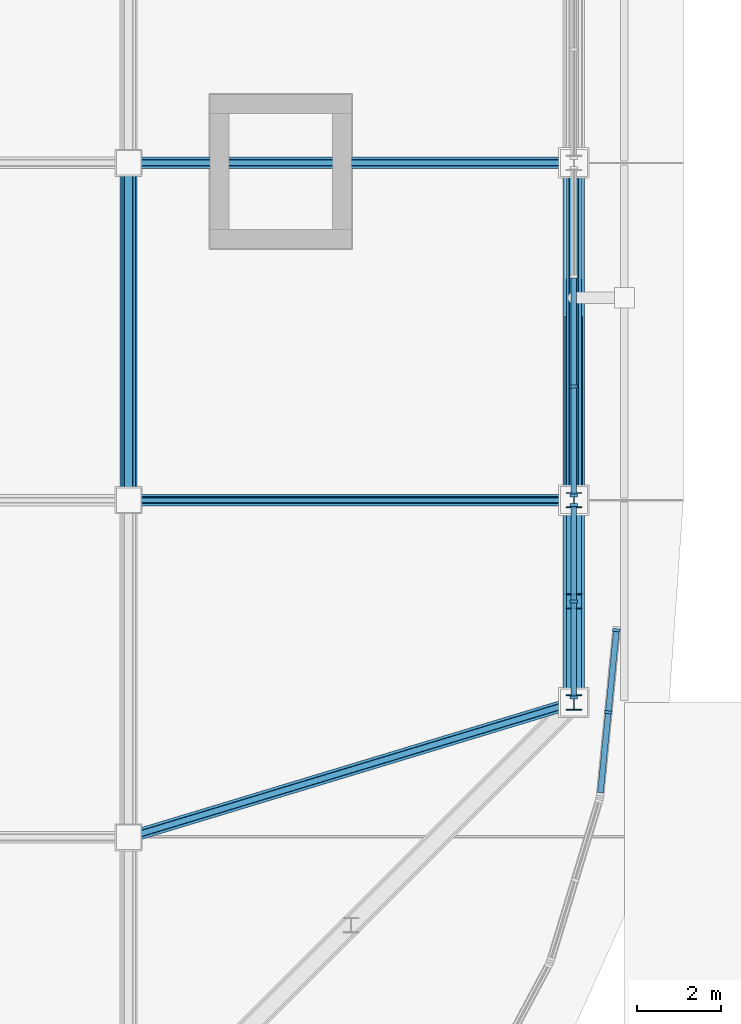
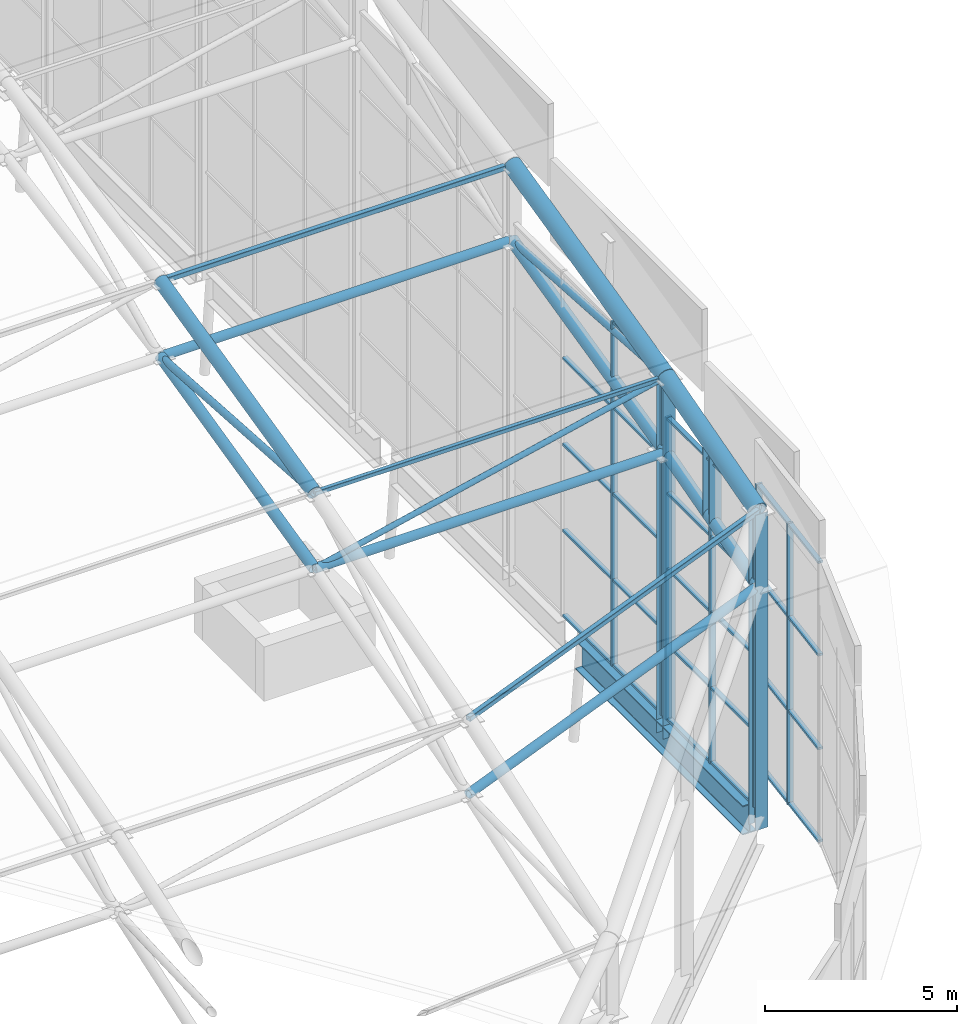
# One storey, part 13 of 42: 52 members, 1 beam, 3 elements without a shape of their own.
"""IFC4 building model written with IfcOpenShell, lengths in metres."""

import ifcopenshell
import ifcopenshell.guid

model = None  # the IFC model being written
_history = None  # IfcOwnerHistory: only IFC2X3 demands one
_inside = {}  # id of a spatial element -> (the spatial element, [elements in it])
_under = {}  # id of a project, library or spatial element -> (it, [spatial elements below it])
_declared = {}  # id of a project -> (the project, [libraries it declares])
_typed = {}  # id of a type object -> (the type object, [elements of that type])
_made_of = {}  # id of a material, layer set ... -> (it, [elements and type objects made of it])


def new_model(schema):
    """Start an empty IFC model of exactly this schema.

    Asked for "IFC4X3", IfcOpenShell would pick the latest addendum, in which some entities
    have other attributes; the version numbers below select the first issue.
    IFC2X3 requires an IfcOwnerHistory on every rooted entity: one is made here for all.
    """
    global model, _history
    if schema == "IFC4X3":
        model = ifcopenshell.file(schema_version=(4, 3, 0, 0))
    else:
        model = ifcopenshell.file(schema=schema)
    _inside.clear()
    _under.clear()
    _declared.clear()
    _typed.clear()
    _made_of.clear()
    _history = None
    if model.schema == "IFC2X3":
        org = make("IfcOrganization", Name="unknown")
        user = make(
            "IfcPersonAndOrganization",
            ThePerson=make("IfcPerson", FamilyName="unknown"),
            TheOrganization=org,
        )
        app = make(
            "IfcApplication",
            ApplicationDeveloper=org,
            Version="unknown",
            ApplicationFullName="unknown",
            ApplicationIdentifier="unknown",
        )
        _history = make(
            "IfcOwnerHistory",
            OwningUser=user,
            OwningApplication=app,
            ChangeAction="ADDED",
            CreationDate=0,
        )
    return model


def make(cls, **values):
    """One entity of the class cls with the attributes given. An attribute that is None is left unset."""
    return model.create_entity(
        cls, **{name: value for name, value in values.items() if value is not None}
    )


def rooted(cls, **values):
    """An entity with a GlobalId (a new one), such as an element, a storey or a relation."""
    return make(cls, GlobalId=ifcopenshell.guid.new(), OwnerHistory=_history, **values)


def si_unit(unit_type, name, prefix=None):
    """IfcSIUnit, for example si_unit("LENGTHUNIT", "METRE", prefix="MILLI")."""
    return make("IfcSIUnit", UnitType=unit_type, Prefix=prefix, Name=name)


def assignment(units):
    """IfcUnitAssignment: the units of a project."""
    return None if units is None else make("IfcUnitAssignment", Units=units)


def point(xyz):
    """IfcCartesianPoint."""
    return None if xyz is None else make("IfcCartesianPoint", Coordinates=xyz)


def direction(xyz):
    """IfcDirection."""
    return None if xyz is None else make("IfcDirection", DirectionRatios=xyz)


def frame(location, z_axis=None, x_axis=None):
    """IfcAxis2Placement3D, a coordinate frame: its origin and axes. An axis left out is left unset."""
    return make(
        "IfcAxis2Placement3D",
        Location=point(location),
        Axis=direction(z_axis),
        RefDirection=direction(x_axis),
    )


def frame_2d(location, x_axis=None):
    """IfcAxis2Placement2D, a coordinate frame in the plane: its origin and x axis."""
    return make(
        "IfcAxis2Placement2D", Location=point(location), RefDirection=direction(x_axis)
    )


def origin():
    """The frame at (0, 0, 0) with its axes left unset."""
    return frame((0.0, 0.0, 0.0))


def origin_2d():
    """The frame at (0, 0) in the plane with its x axis left unset."""
    return frame_2d((0.0, 0.0))


def place(relative_to, where):
    """IfcLocalPlacement: puts the frame where relative to a parent placement (None: the world)."""
    return make(
        "IfcLocalPlacement", PlacementRelTo=relative_to, RelativePlacement=where
    )


def context(
    kind, dimensions, precision=None, world=None, true_north=None, identifier=None
):
    """IfcGeometricRepresentationContext, for example the 3D "Model" context."""
    return make(
        "IfcGeometricRepresentationContext",
        ContextIdentifier=identifier,
        ContextType=kind,
        CoordinateSpaceDimension=dimensions,
        Precision=precision,
        WorldCoordinateSystem=world,
        TrueNorth=true_north,
    )


def subcontext(parent, identifier, kind, view, scale=None):
    """IfcGeometricRepresentationSubContext, for example "Body" below "Model"."""
    return make(
        "IfcGeometricRepresentationSubContext",
        ContextIdentifier=identifier,
        ContextType=kind,
        ParentContext=parent,
        TargetScale=scale,
        TargetView=view,
    )


def project(units=None, contexts=None):
    """IfcProject with its units and contexts."""
    return rooted(
        "IfcProject",
        Name="project",
        RepresentationContexts=contexts,
        UnitsInContext=assignment(units),
    )


def spatial(cls, under=None, at=None, **own):
    """A site, building, storey or space (cls), placed at a placement, below another one or the project."""
    s = rooted(cls, ObjectPlacement=at, **own)
    if under is not None:
        _under.setdefault(under.id(), (under, []))[1].append(s)
    return s


def profile(cls, at=None, kind="AREA", **sizes):
    """A parametric profile (cls). Its sizes go by their IFC names, for example OverallWidth=200.0."""
    return make(cls, ProfileType=kind, Position=at, **sizes)


def rectangle(**sizes):
    """IfcRectangleProfileDef."""
    return profile("IfcRectangleProfileDef", **sizes)


def hollow_rectangle(**sizes):
    """IfcRectangleHollowProfileDef."""
    return profile("IfcRectangleHollowProfileDef", **sizes)


def hollow_circle(**sizes):
    """IfcCircleHollowProfileDef."""
    return profile("IfcCircleHollowProfileDef", **sizes)


def i_section(**sizes):
    """IfcIShapeProfileDef."""
    return profile("IfcIShapeProfileDef", **sizes)


def extrude(swept, where, along, depth):
    """IfcExtrudedAreaSolid: the profile swept, set in the frame where, extruded along a direction by depth."""
    return make(
        "IfcExtrudedAreaSolid",
        SweptArea=swept,
        Position=where,
        ExtrudedDirection=direction(along),
        Depth=depth,
    )


def shape(context_of_items, identifier, shape_type, items):
    """IfcShapeRepresentation: the items that make up one representation, for example the "Body"."""
    return make(
        "IfcShapeRepresentation",
        ContextOfItems=context_of_items,
        RepresentationIdentifier=identifier,
        RepresentationType=shape_type,
        Items=items,
    )


def material(Name=None, Category=None):
    """IfcMaterial."""
    return make("IfcMaterial", Name=Name, Category=Category)


def layer(
    of_material, thickness, ventilated=None, Name=None, Category=None, Priority=None
):
    """IfcMaterialLayer: one layer of a wall or slab, of a material (None: an air gap)."""
    return make(
        "IfcMaterialLayer",
        Material=of_material,
        LayerThickness=thickness,
        IsVentilated=ventilated,
        Name=Name,
        Category=Category,
        Priority=Priority,
    )


def layer_set(layers, Name=None):
    """IfcMaterialLayerSet."""
    return make("IfcMaterialLayerSet", MaterialLayers=layers, LayerSetName=Name)


def material_profile(
    of_material, cross_section, Name=None, Category=None, Priority=None
):
    """IfcMaterialProfile: a cross section and its material."""
    return make(
        "IfcMaterialProfile",
        Name=Name,
        Material=of_material,
        Profile=cross_section,
        Priority=Priority,
        Category=Category,
    )


def profile_set(profiles, Name=None, composite=None):
    """IfcMaterialProfileSet."""
    return make(
        "IfcMaterialProfileSet",
        Name=Name,
        MaterialProfiles=profiles,
        CompositeProfile=composite,
    )


def made_of(thing, what):
    """Note that an element or type object is made of a material, layer set ...; save() writes the relation."""
    if what is not None:
        _made_of.setdefault(what.id(), (what, []))[1].append(thing)
    return thing


def type_object(cls, material=None, **own):
    """A type object (cls), such as IfcWallType, which elements share."""
    return made_of(rooted(cls, **own), material)


def element(
    cls,
    number,
    at=None,
    inside=None,
    cuts=None,
    type_object=None,
    material=None,
    context=None,
    identifier="Body",
    shape_type=None,
    held_by="IfcProductDefinitionShape",
    body=None,
    shapes=None,
    **own,
):
    """One element of the class cls, such as IfcWall. Its Tag is "e" and its number.

    at: its placement. inside: the storey or other place that contains it. cuts: it is an
    opening in that element (IfcRelVoidsElement). A single representation is given by context,
    identifier, shape_type and body (its items); several are given by shapes. held_by: the class
    of the entity that holds the representations. save() writes the other relations.
    """
    e = rooted(cls, Tag="e%d" % number, ObjectPlacement=at, **own)
    if body is not None:
        shapes = [shape(context, identifier, shape_type, body)]
    if shapes is not None:
        e.Representation = make(held_by, Representations=shapes)
    if inside is not None:
        _inside.setdefault(inside.id(), (inside, []))[1].append(e)
    if cuts is not None:
        rooted(
            "IfcRelVoidsElement", RelatingBuildingElement=cuts, RelatedOpeningElement=e
        )
    if type_object is not None:
        _typed.setdefault(type_object.id(), (type_object, []))[1].append(e)
    return made_of(e, material)


def aggregate(whole, parts):
    """IfcRelAggregates: a whole, such as a stair, and the parts it consists of."""
    return rooted("IfcRelAggregates", RelatingObject=whole, RelatedObjects=parts)


def save(model, path):
    """Write the relations noted so far, then the file.

    IfcRelAggregates (storeys below a building ...), IfcRelContainedInSpatialStructure (elements
    in a storey), IfcRelDefinesByType, IfcRelAssociatesMaterial and IfcRelDeclares: one each for
    every whole, place, type object, material and project.
    """
    for whole, parts in _under.values():
        aggregate(whole, parts)
    for where, things in _inside.values():
        rooted(
            "IfcRelContainedInSpatialStructure",
            RelatedElements=things,
            RelatingStructure=where,
        )
    for kind, things in _typed.values():
        rooted("IfcRelDefinesByType", RelatedObjects=things, RelatingType=kind)
    for what, things in _made_of.values():
        rooted("IfcRelAssociatesMaterial", RelatedObjects=things, RelatingMaterial=what)
    for by, libraries in _declared.values():
        rooted("IfcRelDeclares", RelatingContext=by, RelatedDefinitions=libraries)
    model.write(path)


model = new_model("IFC4")

# Units and contexts
model_context = context("Model", 3, precision=1e-05, world=origin(), true_north=direction((0.0, 1.0)))
body_context = subcontext(model_context, "Body", "Model", "MODEL_VIEW")
ifc_project = project(units=[si_unit("LENGTHUNIT", "METRE"), si_unit("AREAUNIT", "SQUARE_METRE"), si_unit("VOLUMEUNIT", "CUBIC_METRE"), si_unit("PLANEANGLEUNIT", "RADIAN"), si_unit("MASSUNIT", "GRAM", prefix="KILO")], contexts=[model_context])

# Site, building, storey
site_placement = place(None, origin())
site = spatial("IfcSite", under=ifc_project, at=site_placement, CompositionType="ELEMENT")
building_placement = place(site_placement, origin())
building = spatial("IfcBuilding", under=site, at=building_placement, Name="Caelomonte Colonnade Arena", CompositionType="ELEMENT")
storey_placement = place(building_placement, frame((0.0, 0.0, 28.199951171875)))
storey = spatial("IfcBuildingStorey", under=building, at=storey_placement, Name="RF", CompositionType="ELEMENT", Elevation=28.199951171875)

# Curtain wall, members
ifc_material_1 = material(Name="Bronze anodised aluminium and low-E glazing", Category="aluminium")
ifc_layer_1 = layer(ifc_material_1, 0.179931640625)
ifc_layer_set_1 = layer_set([ifc_layer_1], Name="Bronze anodised aluminium and low-E glazing")
curtain_wall_type_1 = type_object("IfcCurtainWallType", Name="ENV-CW-CW-TYMP-01", PredefinedType="USERDEFINED", material=ifc_layer_set_1)
curtain_wall_1_placement = place(storey_placement, origin())
curtain_wall_1 = element("IfcCurtainWall", 1, at=curtain_wall_1_placement, inside=storey, type_object=curtain_wall_type_1, Name="Barrel arch E clerestory tympanum curtain wall 1", ObjectType="UNITIZED CURTAIN WALL", PredefinedType="USERDEFINED")
ifc_material_2 = material(Name="Bronze anodised aluminium AA6063-T6", Category="aluminium")
ifc_material_profile_1 = material_profile(ifc_material_2, rectangle(XDim=0.070068359375, YDim=0.179931640625, at=origin_2d()), Name="CWM-70X180")
ifc_profile_set_1 = profile_set([ifc_material_profile_1], Name="Bronze anodised aluminium AA6063-T6")
member_type_1 = type_object("IfcMemberType", Name="ENV-CW-MULL1", PredefinedType="MULLION", material=ifc_profile_set_1)
member_1_placement = place(storey_placement, frame((163.199951171875, 38.514892578125, -0.14990234375), z_axis=(0.0, 0.0, 1.0), x_axis=(0.0, 1.0, 0.0)))
member_1 = element("IfcMember", 2, at=member_1_placement, type_object=member_type_1, Name="CW-TYMP-01 mullion 1", PredefinedType="MULLION", context=body_context, shape_type="SweptSolid", body=[
    extrude(rectangle(XDim=0.070068359375, YDim=0.179931640625, at=origin_2d()), origin(), (0.0, 0.0, 1.0), 9.61474609375),
])
member_2_placement = place(storey_placement, frame((163.199951171875, 40.800048828125, -0.14990234375), z_axis=(0.0, 0.0, 1.0), x_axis=(0.0, 1.0, 0.0)))
member_2 = element("IfcMember", 3, at=member_2_placement, type_object=member_type_1, Name="CW-TYMP-01 mullion 2", PredefinedType="MULLION", context=body_context, shape_type="SweptSolid", body=[
    extrude(rectangle(XDim=0.070068359375, YDim=0.179931640625, at=origin_2d()), origin(), (0.0, 0.0, 1.0), 9.61474609375),
])
member_3_placement = place(storey_placement, frame((163.199951171875, 43.0849609375, -0.14990234375), z_axis=(0.0, 0.0, 1.0), x_axis=(0.0, 1.0, 0.0)))
member_3 = element("IfcMember", 4, at=member_3_placement, type_object=member_type_1, Name="CW-TYMP-01 mullion 3", PredefinedType="MULLION", context=body_context, shape_type="SweptSolid", body=[
    extrude(rectangle(XDim=0.070068359375, YDim=0.179931640625, at=origin_2d()), origin(), (0.0, 0.0, 1.0), 9.61474609375),
])

ifc_layer_2 = layer(ifc_material_1, 0.179931640625)
ifc_layer_set_2 = layer_set([ifc_layer_2], Name="Bronze anodised aluminium and low-E glazing")
curtain_wall_type_2 = type_object("IfcCurtainWallType", Name="ENV-CW-CW-TYMP-02", PredefinedType="USERDEFINED", material=ifc_layer_set_2)
curtain_wall_2_placement = place(storey_placement, origin())
curtain_wall_2 = element("IfcCurtainWall", 5, at=curtain_wall_2_placement, inside=storey, type_object=curtain_wall_type_2, Name="Barrel arch E clerestory tympanum curtain wall 2", ObjectType="UNITIZED CURTAIN WALL", PredefinedType="USERDEFINED")
member_4_placement = place(storey_placement, frame((163.199951171875, 43.31494140625, -0.14990234375), z_axis=(0.0, 0.0, 1.0), x_axis=(0.0, 1.0, 0.0)))
member_4 = element("IfcMember", 6, at=member_4_placement, type_object=member_type_1, Name="CW-TYMP-02 mullion 1", PredefinedType="MULLION", context=body_context, shape_type="SweptSolid", body=[
    extrude(rectangle(XDim=0.070068359375, YDim=0.179931640625, at=origin_2d()), origin(), (0.0, 0.0, 1.0), 10.952880859375),
])
member_5_placement = place(storey_placement, frame((163.199951171875, 45.893310546875, -0.14990234375), z_axis=(0.0, 0.0, 1.0), x_axis=(0.0, 1.0, 0.0)))
member_5 = element("IfcMember", 7, at=member_5_placement, type_object=member_type_1, Name="CW-TYMP-02 mullion 2", PredefinedType="MULLION", context=body_context, shape_type="SweptSolid", body=[
    extrude(rectangle(XDim=0.070068359375, YDim=0.179931640625, at=origin_2d()), origin(), (0.0, 0.0, 1.0), 10.952880859375),
])

ifc_layer_3 = layer(ifc_material_1, 0.179931640625)
ifc_layer_set_3 = layer_set([ifc_layer_3], Name="Bronze anodised aluminium and low-E glazing")
curtain_wall_type_3 = type_object("IfcCurtainWallType", Name="ENV-CW-CW-TYMPC-01-89", PredefinedType="USERDEFINED", material=ifc_layer_set_3)
curtain_wall_3_placement = place(storey_placement, origin())
curtain_wall_3 = element("IfcCurtainWall", 8, at=curtain_wall_3_placement, inside=storey, type_object=curtain_wall_type_3, Name="Barrel arch rounded corner clerestory curtain wall 8", ObjectType="UNITIZED CURTAIN WALL", PredefinedType="USERDEFINED")
member_6_placement = place(storey_placement, frame((164.02001953125, 38.169189453125, -0.14990234375), z_axis=(0.0, 0.0, 1.0), x_axis=(0.098031417843, 0.995183320356, 0.0)))
member_6 = element("IfcMember", 9, at=member_6_placement, type_object=member_type_1, Name="CW-TYMPC-01-89 mullion 2", PredefinedType="MULLION", context=body_context, shape_type="SweptSolid", body=[
    extrude(rectangle(XDim=0.070068359375, YDim=0.179931640625, at=origin_2d()), origin(), (0.0, 0.0, 1.0), 8.93017578125),
])
member_7_placement = place(storey_placement, frame((164.211669921875, 40.115478515625, -0.14990234375), z_axis=(0.0, 0.0, 1.0), x_axis=(0.098031417843, 0.995183320356, 0.0)))
member_7 = element("IfcMember", 10, at=member_7_placement, type_object=member_type_1, Name="CW-TYMPC-01-89 mullion 3", PredefinedType="MULLION", context=body_context, shape_type="SweptSolid", body=[
    extrude(rectangle(XDim=0.070068359375, YDim=0.179931640625, at=origin_2d()), origin(), (0.0, 0.0, 1.0), 8.93017578125),
])

# Member
ifc_material_profile_2 = material_profile(ifc_material_2, rectangle(XDim=0.070068359375, YDim=0.139892578125, at=origin_2d()), Name="CWT-70X140")
ifc_profile_set_2 = profile_set([ifc_material_profile_2], Name="Bronze anodised aluminium AA6063-T6")
member_type_2 = type_object("IfcMemberType", Name="ENV-CW-TRAN1", PredefinedType="USERDEFINED", material=ifc_profile_set_2)
member_8_placement = place(storey_placement, frame((163.199951171875, 38.550048828125, -0.114990234375), z_axis=(0.0, 1.0, 0.0), x_axis=(0.0, 0.0, 1.0)))
member_8 = element("IfcMember", 11, at=member_8_placement, type_object=member_type_2, Name="CW-TYMP-01 transom 1.1", ObjectType="TRANSOM", PredefinedType="USERDEFINED", context=body_context, shape_type="SweptSolid", body=[
    extrude(rectangle(XDim=0.070068359375, YDim=0.139892578125, at=origin_2d()), origin(), (0.0, 0.0, 1.0), 2.21484375),
])

member_9_placement = place(storey_placement, frame((163.199951171875, 38.550048828125, 2.253662109375), z_axis=(0.0, 1.0, 0.0), x_axis=(0.0, 0.0, 1.0)))
member_9 = element("IfcMember", 12, at=member_9_placement, type_object=member_type_2, Name="CW-TYMP-01 transom 1.2", ObjectType="TRANSOM", PredefinedType="USERDEFINED", context=body_context, shape_type="SweptSolid", body=[
    extrude(rectangle(XDim=0.070068359375, YDim=0.139892578125, at=origin_2d()), origin(), (0.0, 0.0, 1.0), 2.21484375),
])

member_10_placement = place(storey_placement, frame((163.199951171875, 38.550048828125, 4.657470703125), z_axis=(0.0, 1.0, 0.0), x_axis=(0.0, 0.0, 1.0)))
member_10 = element("IfcMember", 13, at=member_10_placement, type_object=member_type_2, Name="CW-TYMP-01 transom 1.3", ObjectType="TRANSOM", PredefinedType="USERDEFINED", context=body_context, shape_type="SweptSolid", body=[
    extrude(rectangle(XDim=0.070068359375, YDim=0.139892578125, at=origin_2d()), origin(), (0.0, 0.0, 1.0), 2.21484375),
])

member_11_placement = place(storey_placement, frame((163.199951171875, 38.550048828125, 7.061279296875), z_axis=(0.0, 1.0, 0.0), x_axis=(0.0, 0.0, 1.0)))
member_11 = element("IfcMember", 14, at=member_11_placement, type_object=member_type_2, Name="CW-TYMP-01 transom 1.4", ObjectType="TRANSOM", PredefinedType="USERDEFINED", context=body_context, shape_type="SweptSolid", body=[
    extrude(rectangle(XDim=0.070068359375, YDim=0.139892578125, at=origin_2d()), origin(), (0.0, 0.0, 1.0), 2.21484375),
])

member_12_placement = place(storey_placement, frame((163.199951171875, 38.550048828125, 9.429931640625), z_axis=(0.0, 1.0, 0.0), x_axis=(0.0, 0.0, 1.0)))
member_12 = element("IfcMember", 15, at=member_12_placement, type_object=member_type_2, Name="CW-TYMP-01 transom 1.5", ObjectType="TRANSOM", PredefinedType="USERDEFINED", context=body_context, shape_type="SweptSolid", body=[
    extrude(rectangle(XDim=0.070068359375, YDim=0.139892578125, at=origin_2d()), origin(), (0.0, 0.0, 1.0), 2.21484375),
])

member_13_placement = place(storey_placement, frame((163.199951171875, 40.8349609375, -0.114990234375), z_axis=(0.0, 1.0, 0.0), x_axis=(0.0, 0.0, 1.0)))
member_13 = element("IfcMember", 16, at=member_13_placement, type_object=member_type_2, Name="CW-TYMP-01 transom 2.1", ObjectType="TRANSOM", PredefinedType="USERDEFINED", context=body_context, shape_type="SweptSolid", body=[
    extrude(rectangle(XDim=0.070068359375, YDim=0.139892578125, at=origin_2d()), origin(), (0.0, 0.0, 1.0), 2.215087890625),
])

member_14_placement = place(storey_placement, frame((163.199951171875, 40.8349609375, 2.253662109375), z_axis=(0.0, 1.0, 0.0), x_axis=(0.0, 0.0, 1.0)))
member_14 = element("IfcMember", 17, at=member_14_placement, type_object=member_type_2, Name="CW-TYMP-01 transom 2.2", ObjectType="TRANSOM", PredefinedType="USERDEFINED", context=body_context, shape_type="SweptSolid", body=[
    extrude(rectangle(XDim=0.070068359375, YDim=0.139892578125, at=origin_2d()), origin(), (0.0, 0.0, 1.0), 2.215087890625),
])

member_15_placement = place(storey_placement, frame((163.199951171875, 40.8349609375, 4.657470703125), z_axis=(0.0, 1.0, 0.0), x_axis=(0.0, 0.0, 1.0)))
member_15 = element("IfcMember", 18, at=member_15_placement, type_object=member_type_2, Name="CW-TYMP-01 transom 2.3", ObjectType="TRANSOM", PredefinedType="USERDEFINED", context=body_context, shape_type="SweptSolid", body=[
    extrude(rectangle(XDim=0.070068359375, YDim=0.139892578125, at=origin_2d()), origin(), (0.0, 0.0, 1.0), 2.215087890625),
])

member_16_placement = place(storey_placement, frame((163.199951171875, 40.8349609375, 7.061279296875), z_axis=(0.0, 1.0, 0.0), x_axis=(0.0, 0.0, 1.0)))
member_16 = element("IfcMember", 19, at=member_16_placement, type_object=member_type_2, Name="CW-TYMP-01 transom 2.4", ObjectType="TRANSOM", PredefinedType="USERDEFINED", context=body_context, shape_type="SweptSolid", body=[
    extrude(rectangle(XDim=0.070068359375, YDim=0.139892578125, at=origin_2d()), origin(), (0.0, 0.0, 1.0), 2.215087890625),
])

member_17_placement = place(storey_placement, frame((163.199951171875, 40.8349609375, 9.429931640625), z_axis=(0.0, 1.0, 0.0), x_axis=(0.0, 0.0, 1.0)))
member_17 = element("IfcMember", 20, at=member_17_placement, type_object=member_type_2, Name="CW-TYMP-01 transom 2.5", ObjectType="TRANSOM", PredefinedType="USERDEFINED", context=body_context, shape_type="SweptSolid", body=[
    extrude(rectangle(XDim=0.070068359375, YDim=0.139892578125, at=origin_2d()), origin(), (0.0, 0.0, 1.0), 2.215087890625),
])

aggregate(curtain_wall_1, [member_1, member_2, member_3, member_8, member_9, member_10, member_11, member_12, member_13, member_14, member_15, member_16, member_17])

member_18_placement = place(storey_placement, frame((163.199951171875, 43.35009765625, -0.114990234375), z_axis=(0.0, 1.0, 0.0), x_axis=(0.0, 0.0, 1.0)))
member_18 = element("IfcMember", 21, at=member_18_placement, type_object=member_type_2, Name="CW-TYMP-02 transom 1.1", ObjectType="TRANSOM", PredefinedType="USERDEFINED", context=body_context, shape_type="SweptSolid", body=[
    extrude(rectangle(XDim=0.070068359375, YDim=0.139892578125, at=origin_2d()), origin(), (0.0, 0.0, 1.0), 2.50830078125),
])

member_19_placement = place(storey_placement, frame((163.199951171875, 43.35009765625, 2.58837890625), z_axis=(0.0, 1.0, 0.0), x_axis=(0.0, 0.0, 1.0)))
member_19 = element("IfcMember", 22, at=member_19_placement, type_object=member_type_2, Name="CW-TYMP-02 transom 1.2", ObjectType="TRANSOM", PredefinedType="USERDEFINED", context=body_context, shape_type="SweptSolid", body=[
    extrude(rectangle(XDim=0.070068359375, YDim=0.139892578125, at=origin_2d()), origin(), (0.0, 0.0, 1.0), 2.50830078125),
])

member_20_placement = place(storey_placement, frame((163.199951171875, 43.35009765625, 5.32666015625), z_axis=(0.0, 1.0, 0.0), x_axis=(0.0, 0.0, 1.0)))
member_20 = element("IfcMember", 23, at=member_20_placement, type_object=member_type_2, Name="CW-TYMP-02 transom 1.3", ObjectType="TRANSOM", PredefinedType="USERDEFINED", context=body_context, shape_type="SweptSolid", body=[
    extrude(rectangle(XDim=0.070068359375, YDim=0.139892578125, at=origin_2d()), origin(), (0.0, 0.0, 1.0), 2.50830078125),
])

member_21_placement = place(storey_placement, frame((163.199951171875, 43.35009765625, 8.064697265625), z_axis=(0.0, 1.0, 0.0), x_axis=(0.0, 0.0, 1.0)))
member_21 = element("IfcMember", 24, at=member_21_placement, type_object=member_type_2, Name="CW-TYMP-02 transom 1.4", ObjectType="TRANSOM", PredefinedType="USERDEFINED", context=body_context, shape_type="SweptSolid", body=[
    extrude(rectangle(XDim=0.070068359375, YDim=0.139892578125, at=origin_2d()), origin(), (0.0, 0.0, 1.0), 2.50830078125),
])

member_22_placement = place(storey_placement, frame((163.199951171875, 43.35009765625, 10.76806640625), z_axis=(0.0, 1.0, 0.0), x_axis=(0.0, 0.0, 1.0)))
member_22 = element("IfcMember", 25, at=member_22_placement, type_object=member_type_2, Name="CW-TYMP-02 transom 1.5", ObjectType="TRANSOM", PredefinedType="USERDEFINED", context=body_context, shape_type="SweptSolid", body=[
    extrude(rectangle(XDim=0.070068359375, YDim=0.139892578125, at=origin_2d()), origin(), (0.0, 0.0, 1.0), 2.50830078125),
])

member_23_placement = place(storey_placement, frame((163.199951171875, 45.92822265625, -0.114990234375), z_axis=(0.0, 1.0, 0.0), x_axis=(0.0, 0.0, 1.0)))
member_23 = element("IfcMember", 26, at=member_23_placement, type_object=member_type_2, Name="CW-TYMP-02 transom 2.1", ObjectType="TRANSOM", PredefinedType="USERDEFINED", context=body_context, shape_type="SweptSolid", body=[
    extrude(rectangle(XDim=0.070068359375, YDim=0.139892578125, at=origin_2d()), origin(), (0.0, 0.0, 1.0), 2.54345703125),
])

member_24_placement = place(storey_placement, frame((163.199951171875, 45.92822265625, 2.58837890625), z_axis=(0.0, 1.0, 0.0), x_axis=(0.0, 0.0, 1.0)))
member_24 = element("IfcMember", 27, at=member_24_placement, type_object=member_type_2, Name="CW-TYMP-02 transom 2.2", ObjectType="TRANSOM", PredefinedType="USERDEFINED", context=body_context, shape_type="SweptSolid", body=[
    extrude(rectangle(XDim=0.070068359375, YDim=0.139892578125, at=origin_2d()), origin(), (0.0, 0.0, 1.0), 2.54345703125),
])

member_25_placement = place(storey_placement, frame((163.199951171875, 45.92822265625, 5.32666015625), z_axis=(0.0, 1.0, 0.0), x_axis=(0.0, 0.0, 1.0)))
member_25 = element("IfcMember", 28, at=member_25_placement, type_object=member_type_2, Name="CW-TYMP-02 transom 2.3", ObjectType="TRANSOM", PredefinedType="USERDEFINED", context=body_context, shape_type="SweptSolid", body=[
    extrude(rectangle(XDim=0.070068359375, YDim=0.139892578125, at=origin_2d()), origin(), (0.0, 0.0, 1.0), 2.54345703125),
])

member_26_placement = place(storey_placement, frame((163.199951171875, 45.92822265625, 8.064697265625), z_axis=(0.0, 1.0, 0.0), x_axis=(0.0, 0.0, 1.0)))
member_26 = element("IfcMember", 29, at=member_26_placement, type_object=member_type_2, Name="CW-TYMP-02 transom 2.4", ObjectType="TRANSOM", PredefinedType="USERDEFINED", context=body_context, shape_type="SweptSolid", body=[
    extrude(rectangle(XDim=0.070068359375, YDim=0.139892578125, at=origin_2d()), origin(), (0.0, 0.0, 1.0), 2.54345703125),
])

aggregate(curtain_wall_2, [member_4, member_5, member_18, member_19, member_20, member_21, member_22, member_23, member_24, member_25, member_26])

member_27_placement = place(storey_placement, frame((163.83154296875, 36.257568359375, -0.114990234375), z_axis=(0.098132097752, 0.99517339765, 0.0), x_axis=(0.0, 0.0, 1.0)))
member_27 = element("IfcMember", 30, at=member_27_placement, type_object=member_type_2, Name="CW-TYMPC-01-89 transom 1.1", ObjectType="TRANSOM", PredefinedType="USERDEFINED", context=body_context, shape_type="SweptSolid", body=[
    extrude(rectangle(XDim=0.070068359375, YDim=0.139892578125, at=origin_2d()), origin(), (0.0, 0.0, 1.0), 1.8857421875),
])

member_28_placement = place(storey_placement, frame((163.83154296875, 36.257568359375, 2.82666015625), z_axis=(0.098132097752, 0.99517339765, 0.0), x_axis=(0.0, 0.0, 1.0)))
member_28 = element("IfcMember", 31, at=member_28_placement, type_object=member_type_2, Name="CW-TYMPC-01-89 transom 1.2", ObjectType="TRANSOM", PredefinedType="USERDEFINED", context=body_context, shape_type="SweptSolid", body=[
    extrude(rectangle(XDim=0.070068359375, YDim=0.139892578125, at=origin_2d()), origin(), (0.0, 0.0, 1.0), 1.8857421875),
])

member_29_placement = place(storey_placement, frame((163.83154296875, 36.257568359375, 5.803466796875), z_axis=(0.098132097752, 0.99517339765, 0.0), x_axis=(0.0, 0.0, 1.0)))
member_29 = element("IfcMember", 32, at=member_29_placement, type_object=member_type_2, Name="CW-TYMPC-01-89 transom 1.3", ObjectType="TRANSOM", PredefinedType="USERDEFINED", context=body_context, shape_type="SweptSolid", body=[
    extrude(rectangle(XDim=0.070068359375, YDim=0.139892578125, at=origin_2d()), origin(), (0.0, 0.0, 1.0), 1.8857421875),
])

member_30_placement = place(storey_placement, frame((163.83154296875, 36.257568359375, 8.745361328125), z_axis=(0.098132097752, 0.99517339765, 0.0), x_axis=(0.0, 0.0, 1.0)))
member_30 = element("IfcMember", 33, at=member_30_placement, type_object=member_type_2, Name="CW-TYMPC-01-89 transom 1.4", ObjectType="TRANSOM", PredefinedType="USERDEFINED", context=body_context, shape_type="SweptSolid", body=[
    extrude(rectangle(XDim=0.070068359375, YDim=0.139892578125, at=origin_2d()), origin(), (0.0, 0.0, 1.0), 1.8857421875),
])

member_31_placement = place(storey_placement, frame((164.0234375, 38.203857421875, -0.114990234375), z_axis=(0.098003880145, 0.995186032597, 0.0), x_axis=(0.0, 0.0, 1.0)))
member_31 = element("IfcMember", 34, at=member_31_placement, type_object=member_type_2, Name="CW-TYMPC-01-89 transom 2.1", ObjectType="TRANSOM", PredefinedType="USERDEFINED", context=body_context, shape_type="SweptSolid", body=[
    extrude(rectangle(XDim=0.070068359375, YDim=0.139892578125, at=origin_2d()), origin(), (0.0, 0.0, 1.0), 1.8857421875),
])

member_32_placement = place(storey_placement, frame((164.0234375, 38.203857421875, 2.82666015625), z_axis=(0.098003880145, 0.995186032597, 0.0), x_axis=(0.0, 0.0, 1.0)))
member_32 = element("IfcMember", 35, at=member_32_placement, type_object=member_type_2, Name="CW-TYMPC-01-89 transom 2.2", ObjectType="TRANSOM", PredefinedType="USERDEFINED", context=body_context, shape_type="SweptSolid", body=[
    extrude(rectangle(XDim=0.070068359375, YDim=0.139892578125, at=origin_2d()), origin(), (0.0, 0.0, 1.0), 1.8857421875),
])

member_33_placement = place(storey_placement, frame((164.0234375, 38.203857421875, 5.803466796875), z_axis=(0.098003880145, 0.995186032597, 0.0), x_axis=(0.0, 0.0, 1.0)))
member_33 = element("IfcMember", 36, at=member_33_placement, type_object=member_type_2, Name="CW-TYMPC-01-89 transom 2.3", ObjectType="TRANSOM", PredefinedType="USERDEFINED", context=body_context, shape_type="SweptSolid", body=[
    extrude(rectangle(XDim=0.070068359375, YDim=0.139892578125, at=origin_2d()), origin(), (0.0, 0.0, 1.0), 1.8857421875),
])

member_34_placement = place(storey_placement, frame((164.0234375, 38.203857421875, 8.745361328125), z_axis=(0.098003880145, 0.995186032597, 0.0), x_axis=(0.0, 0.0, 1.0)))
member_34 = element("IfcMember", 37, at=member_34_placement, type_object=member_type_2, Name="CW-TYMPC-01-89 transom 2.4", ObjectType="TRANSOM", PredefinedType="USERDEFINED", context=body_context, shape_type="SweptSolid", body=[
    extrude(rectangle(XDim=0.070068359375, YDim=0.139892578125, at=origin_2d()), origin(), (0.0, 0.0, 1.0), 1.8857421875),
])

aggregate(curtain_wall_3, [member_6, member_7, member_27, member_28, member_29, member_30, member_31, member_32, member_33, member_34])

# Beam
ifc_material_3 = material(Name="Wide-flange steel ASTM A992 Grade 50", Category="steel")
ifc_material_profile_3 = material_profile(ifc_material_3, i_section(OverallWidth=0.418212890625, OverallDepth=0.927001953125, WebThickness=0.019287109375, FlangeThickness=0.031982421875, FilletRadius=0.024169921875, at=origin_2d()), Name="W36X231")
ifc_profile_set_3 = profile_set([ifc_material_profile_3], Name="Wide-flange steel ASTM A992 Grade 50")
beam_type = type_object("IfcBeamType", Name="STR-BM-EAVES1", PredefinedType="SPANDREL", material=ifc_profile_set_3)
beam_placement = place(storey_placement, frame((163.199951171875, 38.84912109375, -0.743408203125), z_axis=(0.0, 1.0, 0.0), x_axis=(-1.0, 0.0, 0.0)))
element("IfcBeam", 38, at=beam_placement, inside=storey, type_object=beam_type, Name="RF girder BMY-RF-1632-0384", PredefinedType="SPANDREL", context=body_context, shape_type="SweptSolid", body=[
    extrude(i_section(OverallWidth=0.418212890625, OverallDepth=0.927001953125, WebThickness=0.019287109375, FlangeThickness=0.031982421875, FilletRadius=0.024169921875, at=origin_2d()), origin(), (0.0, 0.0, 1.0), 8.70166015625),
])

# Members
ifc_material_profile_4 = material_profile(ifc_material_3, i_section(OverallWidth=0.368896484375, OverallDepth=0.356201171875, WebThickness=0.01123046875, FlangeThickness=0.01806640625, FilletRadius=0.01513671875, at=origin_2d()), Name="W14X90")
ifc_profile_set_4 = profile_set([ifc_material_profile_4], Name="Wide-flange steel ASTM A992 Grade 50")
member_type_3 = type_object("IfcMemberType", Name="STR-CAT-STR", PredefinedType="STRUT", material=ifc_profile_set_4)
member_35_placement = place(storey_placement, frame((163.199951171875, 38.39990234375, -0.699951171875), z_axis=(0.0, 0.0, 1.0), x_axis=(1.0, 0.0, 0.0)))
element("IfcMember", 39, at=member_35_placement, inside=storey, type_object=member_type_3, Name="Roof truss eaves bearing post 10-2", PredefinedType="STRUT", context=body_context, shape_type="SweptSolid", body=[
    extrude(i_section(OverallWidth=0.368896484375, OverallDepth=0.356201171875, WebThickness=0.01123046875, FlangeThickness=0.01806640625, FilletRadius=0.01513671875, at=origin_2d()), origin(), (0.0, 0.0, 1.0), 10.014892578125),
])
member_36_placement = place(storey_placement, frame((163.199951171875, 43.199951171875, -0.699951171875), z_axis=(0.0, 0.0, 1.0), x_axis=(1.0, 0.0, 0.0)))
element("IfcMember", 40, at=member_36_placement, inside=storey, type_object=member_type_3, Name="Roof truss eaves bearing post 10-3", PredefinedType="STRUT", context=body_context, shape_type="SweptSolid", body=[
    extrude(i_section(OverallWidth=0.368896484375, OverallDepth=0.356201171875, WebThickness=0.01123046875, FlangeThickness=0.01806640625, FilletRadius=0.01513671875, at=origin_2d()), origin(), (0.0, 0.0, 1.0), 11.35302734375),
])
member_37_placement = place(storey_placement, frame((163.199951171875, 40.800048828125, 7.5859375), z_axis=(0.0, 0.0, 1.0), x_axis=(1.0, 0.0, 0.0)))
element("IfcMember", 41, at=member_37_placement, inside=storey, type_object=member_type_3, Name="Space frame roof truss Vierendeel post 10-2", PredefinedType="STRUT", context=body_context, shape_type="SweptSolid", body=[
    extrude(i_section(OverallWidth=0.368896484375, OverallDepth=0.356201171875, WebThickness=0.01123046875, FlangeThickness=0.01806640625, FilletRadius=0.01513671875, at=origin_2d()), origin(), (0.0, 0.0, 1.0), 2.39599609375),
])
ifc_material_4 = material(Name="Steel ASTM A500 Grade C", Category="steel")
ifc_material_profile_5 = material_profile(ifc_material_4, hollow_circle(Radius=0.177734375, WallThickness=0.0126953125, at=origin_2d()), Name="CHS355.6X12.7")
ifc_profile_set_5 = profile_set([ifc_material_profile_5], Name="Steel ASTM A500 Grade C")
member_type_4 = type_object("IfcMemberType", Name="STR-SF-BC1", PredefinedType="CHORD", material=ifc_profile_set_5)
member_38_placement = place(storey_placement, frame((163.199951171875, 38.40185546875, 6.91552734375), z_axis=(0.0, 0.963276563205, 0.268511196748), x_axis=(-1.0, 0.0, 0.0)))
element("IfcMember", 42, at=member_38_placement, inside=storey, type_object=member_type_4, Name="Arched roof truss bottom chord 10-2", PredefinedType="CHORD", context=body_context, shape_type="SweptSolid", body=[
    extrude(hollow_circle(Radius=0.177734375, WallThickness=0.0126953125, at=origin_2d()), origin(), (0.0, 0.0, 1.0), 4.97900390625),
])
member_39_placement = place(storey_placement, frame((163.199951171875, 43.201904296875, 8.253662109375), z_axis=(0.0, 0.973406253466, 0.229085716955), x_axis=(-1.0, 0.0, 0.0)))
element("IfcMember", 43, at=member_39_placement, inside=storey, type_object=member_type_4, Name="Arched roof truss bottom chord 10-3", PredefinedType="CHORD", context=body_context, shape_type="SweptSolid", body=[
    extrude(hollow_circle(Radius=0.177734375, WallThickness=0.0126953125, at=origin_2d()), origin(), (0.0, 0.0, 1.0), 8.214599609375),
])
ifc_material_profile_6 = material_profile(ifc_material_4, hollow_circle(Radius=0.161865234375, WallThickness=0.010009765625, at=origin_2d()), Name="CHS323.9X10.0")
ifc_profile_set_6 = profile_set([ifc_material_profile_6], Name="Steel ASTM A500 Grade C")
member_type_5 = type_object("IfcMemberType", Name="STR-SF-BC2", PredefinedType="CHORD", material=ifc_profile_set_6)
member_40_placement = place(storey_placement, frame((152.639892578125, 43.201904296875, 8.253662109375), z_axis=(0.0, 0.973406253466, 0.229085716955), x_axis=(-1.0, 0.0, 0.0)))
element("IfcMember", 44, at=member_40_placement, inside=storey, type_object=member_type_5, Name="Arched roof truss bottom chord 9-3", PredefinedType="CHORD", context=body_context, shape_type="SweptSolid", body=[
    extrude(hollow_circle(Radius=0.161865234375, WallThickness=0.010009765625, at=origin_2d()), origin(), (0.0, 0.0, 1.0), 8.214599609375),
])
ifc_material_profile_7 = material_profile(ifc_material_4, hollow_rectangle(XDim=0.15234375, YDim=0.15234375, WallThickness=0.008056640625, InnerFilletRadius=0.008056640625, OuterFilletRadius=0.01611328125, at=origin_2d()), Name="HSS152X152X8.0")
ifc_profile_set_7 = profile_set([ifc_material_profile_7], Name="Steel ASTM A500 Grade C")
member_type_6 = type_object("IfcMemberType", Name="STR-SF-PUR2", PredefinedType="PURLIN", material=ifc_profile_set_7)
member_41_placement = place(storey_placement, frame((152.641845703125, 35.20068359375, 8.336181640625), z_axis=(0.953283210827, 0.28886434683, 0.088365768745), x_axis=(-0.28999879487, 0.957027010577, 0.0)))
element("IfcMember", 45, at=member_41_placement, inside=storey, type_object=member_type_6, Name="Arched roof purlin 9-2", PredefinedType="PURLIN", context=body_context, shape_type="SweptSolid", body=[
    extrude(hollow_rectangle(XDim=0.15234375, YDim=0.15234375, WallThickness=0.008056640625, InnerFilletRadius=0.008056640625, OuterFilletRadius=0.01611328125, at=origin_2d()), origin(), (0.0, 0.0, 1.0), 11.073486328125),
])
member_42_placement = place(storey_placement, frame((152.64208984375, 51.199951171875, 12.5361328125), z_axis=(1.0, 0.0, 0.0), x_axis=(0.0, 1.0, 0.0)))
element("IfcMember", 46, at=member_42_placement, inside=storey, type_object=member_type_6, Name="Arched roof purlin 9-4", PredefinedType="PURLIN", context=body_context, shape_type="SweptSolid", body=[
    extrude(hollow_rectangle(XDim=0.15234375, YDim=0.15234375, WallThickness=0.008056640625, InnerFilletRadius=0.008056640625, OuterFilletRadius=0.01611328125, at=origin_2d()), origin(), (0.0, 0.0, 1.0), 10.555908203125),
])
ifc_material_profile_8 = material_profile(ifc_material_4, hollow_rectangle(XDim=0.126953125, YDim=0.126953125, WallThickness=0.00634765625, InnerFilletRadius=0.00634765625, OuterFilletRadius=0.0126953125, at=origin_2d()), Name="HSS127X127X6.4")
ifc_profile_set_8 = profile_set([ifc_material_profile_8], Name="Steel ASTM A500 Grade C")
member_type_7 = type_object("IfcMemberType", Name="STR-SF-PUR3", PredefinedType="PURLIN", material=ifc_profile_set_8)
member_43_placement = place(storey_placement, frame((152.64208984375, 43.199951171875, 10.653076171875), z_axis=(1.0, 0.0, 0.0), x_axis=(0.0, 1.0, 0.0)))
element("IfcMember", 47, at=member_43_placement, inside=storey, type_object=member_type_7, Name="Arched roof purlin 9-3", PredefinedType="PURLIN", context=body_context, shape_type="SweptSolid", body=[
    extrude(hollow_rectangle(XDim=0.126953125, YDim=0.126953125, WallThickness=0.00634765625, InnerFilletRadius=0.00634765625, OuterFilletRadius=0.0126953125, at=origin_2d()), origin(), (0.0, 0.0, 1.0), 10.555908203125),
])
ifc_material_profile_9 = material_profile(ifc_material_4, hollow_circle(Radius=0.25390625, WallThickness=0.015869140625, at=origin_2d()), Name="CHS508X15.9")
ifc_profile_set_9 = profile_set([ifc_material_profile_9], Name="Steel ASTM A500 Grade C")
member_type_8 = type_object("IfcMemberType", Name="STR-SF-TC1", PredefinedType="CHORD", material=ifc_profile_set_9)
member_44_placement = place(storey_placement, frame((163.199951171875, 38.40185546875, 9.3154296875), z_axis=(0.0, 0.963263879579, 0.268556694755), x_axis=(-1.0, 0.0, 0.0)))
element("IfcMember", 48, at=member_44_placement, inside=storey, type_object=member_type_8, Name="Arched roof truss top chord 10-2", PredefinedType="CHORD", context=body_context, shape_type="SweptSolid", body=[
    extrude(hollow_circle(Radius=0.25390625, WallThickness=0.015869140625, at=origin_2d()), origin(), (0.0, 0.0, 1.0), 4.97900390625),
])
member_45_placement = place(storey_placement, frame((163.199951171875, 43.201904296875, 10.653564453125), z_axis=(0.0, 0.973399625624, 0.229113877441), x_axis=(-1.0, 0.0, 0.0)))
element("IfcMember", 49, at=member_45_placement, inside=storey, type_object=member_type_8, Name="Arched roof truss top chord 10-3", PredefinedType="CHORD", context=body_context, shape_type="SweptSolid", body=[
    extrude(hollow_circle(Radius=0.25390625, WallThickness=0.015869140625, at=origin_2d()), origin(), (0.0, 0.0, 1.0), 8.214599609375),
])
ifc_material_profile_10 = material_profile(ifc_material_4, hollow_circle(Radius=0.203125, WallThickness=0.0126953125, at=origin_2d()), Name="CHS406.4X12.7")
ifc_profile_set_10 = profile_set([ifc_material_profile_10], Name="Steel ASTM A500 Grade C")
member_type_9 = type_object("IfcMemberType", Name="STR-SF-TC2", PredefinedType="CHORD", material=ifc_profile_set_10)
member_46_placement = place(storey_placement, frame((152.639892578125, 43.201904296875, 10.653564453125), z_axis=(0.0, 0.973399625624, 0.229113877441), x_axis=(-1.0, 0.0, 0.0)))
element("IfcMember", 50, at=member_46_placement, inside=storey, type_object=member_type_9, Name="Arched roof truss top chord 9-3", PredefinedType="CHORD", context=body_context, shape_type="SweptSolid", body=[
    extrude(hollow_circle(Radius=0.203125, WallThickness=0.0126953125, at=origin_2d()), origin(), (0.0, 0.0, 1.0), 8.214599609375),
])
ifc_material_profile_11 = material_profile(ifc_material_4, hollow_circle(Radius=0.136474609375, WallThickness=0.00927734375, at=origin_2d()), Name="CHS273.0X9.3")
ifc_profile_set_11 = profile_set([ifc_material_profile_11], Name="Steel ASTM A500 Grade C")
member_type_10 = type_object("IfcMemberType", Name="STR-SF-TIE", PredefinedType="STRUT", material=ifc_profile_set_11)
member_47_placement = place(storey_placement, frame((152.641845703125, 35.20068359375, 5.936279296875), z_axis=(0.953283210827, 0.28886434683, 0.088365768745), x_axis=(-0.28999879487, 0.957027010577, 0.0)))
element("IfcMember", 51, at=member_47_placement, inside=storey, type_object=member_type_10, Name="Space frame roof tie strut 9-2", PredefinedType="STRUT", context=body_context, shape_type="SweptSolid", body=[
    extrude(hollow_circle(Radius=0.136474609375, WallThickness=0.00927734375, at=origin_2d()), origin(), (0.0, 0.0, 1.0), 11.073486328125),
])
for number, where, z_axis, x_axis, name in (
    (52, (152.64208984375, 43.199951171875, 8.2529296875), (1.0, 0.0, 0.0), (0.0, 1.0, 0.0), "Space frame roof tie strut 9-3"),
    (53, (152.64208984375, 51.199951171875, 10.135986328125), (1.0, 0.0, 0.0), (0.0, 1.0, 0.0), "Space frame roof tie strut 9-4"),
):
    element("IfcMember", number, at=place(storey_placement, frame(where, z_axis=z_axis, x_axis=x_axis)), inside=storey, type_object=member_type_10, Name=name, PredefinedType="STRUT", context=body_context, shape_type="SweptSolid", body=[
        extrude(hollow_circle(Radius=0.136474609375, WallThickness=0.00927734375, at=origin_2d()), origin(), (0.0, 0.0, 1.0), 10.555908203125),
    ])
ifc_material_profile_12 = material_profile(ifc_material_4, hollow_circle(Radius=0.109619140625, WallThickness=0.00830078125, at=origin_2d()), Name="CHS219.1X8.2")
ifc_profile_set_12 = profile_set([ifc_material_profile_12], Name="Steel ASTM A500 Grade C")
member_type_11 = type_object("IfcMemberType", Name="STR-SF-WEB1", PredefinedType="BRACE", material=ifc_profile_set_12)
for number, where, z_axis, x_axis, name in (
    (54, (152.639892578125, 43.201904296875, 10.65283203125), (0.0, 0.997919495279, -0.064472326942), (-1.0, 0.0, 0.0), "Space frame roof truss web diagonal 9-3"),
    (55, (163.199951171875, 43.201904296875, 10.65283203125), (0.0, 0.997919495279, -0.064472326942), (-1.0, 0.0, 0.0), "Space frame roof truss web diagonal 10-3"),
):
    element("IfcMember", number, at=place(storey_placement, frame(where, z_axis=z_axis, x_axis=x_axis)), inside=storey, type_object=member_type_11, Name=name, PredefinedType="BRACE", context=body_context, shape_type="SweptSolid", body=[
        extrude(hollow_circle(Radius=0.109619140625, WallThickness=0.00830078125, at=origin_2d()), origin(), (0.0, 0.0, 1.0), 8.0126953125),
    ])
ifc_material_profile_13 = material_profile(ifc_material_4, hollow_circle(Radius=0.084228515625, WallThickness=0.007080078125, at=origin_2d()), Name="CHS168.3X7.1")
ifc_profile_set_13 = profile_set([ifc_material_profile_13], Name="Steel ASTM A500 Grade C")
member_type_12 = type_object("IfcMemberType", Name="STR-SF-WEB2", PredefinedType="BRACE", material=ifc_profile_set_13)
member_48_placement = place(storey_placement, frame((152.64208984375, 43.199951171875, 8.25341796875), z_axis=(0.975130861858, 0.0, 0.221629876714), x_axis=(0.0, 1.0, 0.0)))
element("IfcMember", 56, at=member_48_placement, inside=storey, type_object=member_type_12, Name="Space frame transverse diagonal 9-3", PredefinedType="BRACE", context=body_context, shape_type="SweptSolid", body=[
    extrude(hollow_circle(Radius=0.084228515625, WallThickness=0.007080078125, at=origin_2d()), origin(), (0.0, 0.0, 1.0), 10.8251953125),
])

save(model, "model.ifc")
